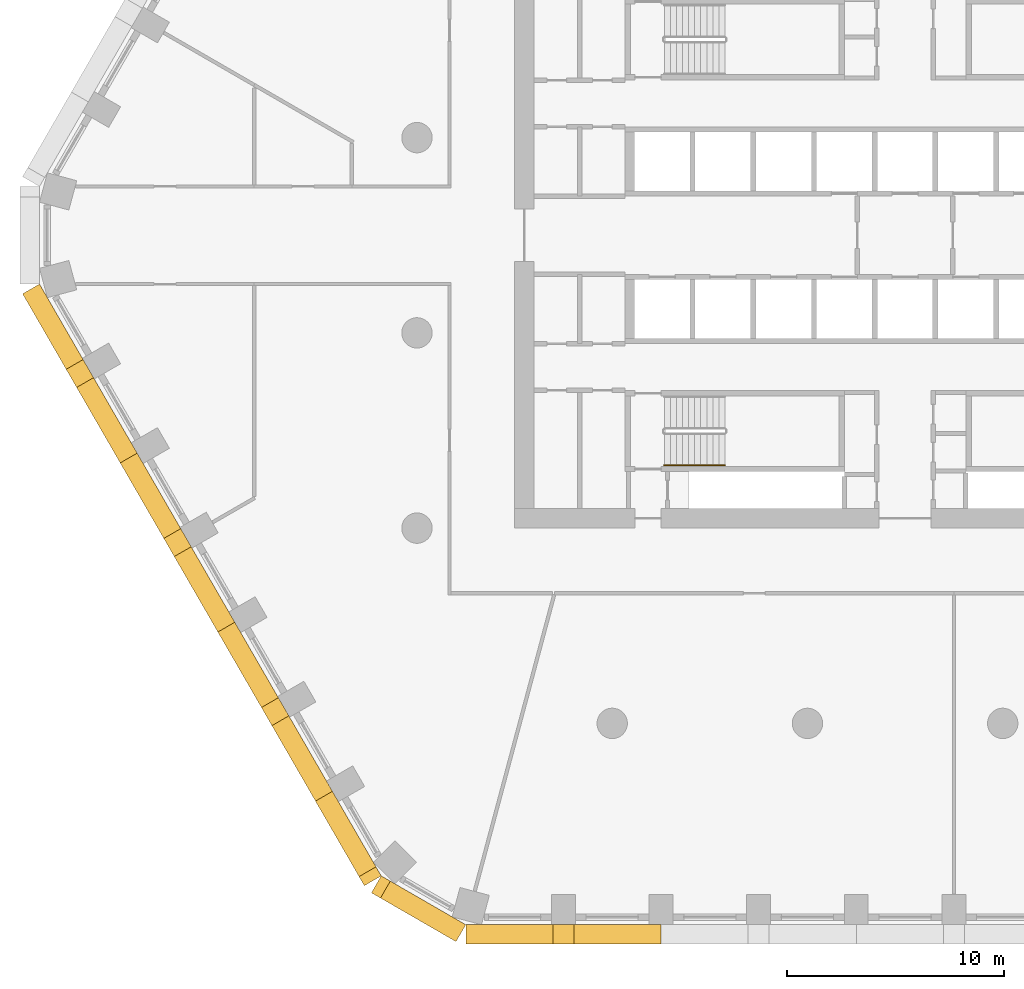
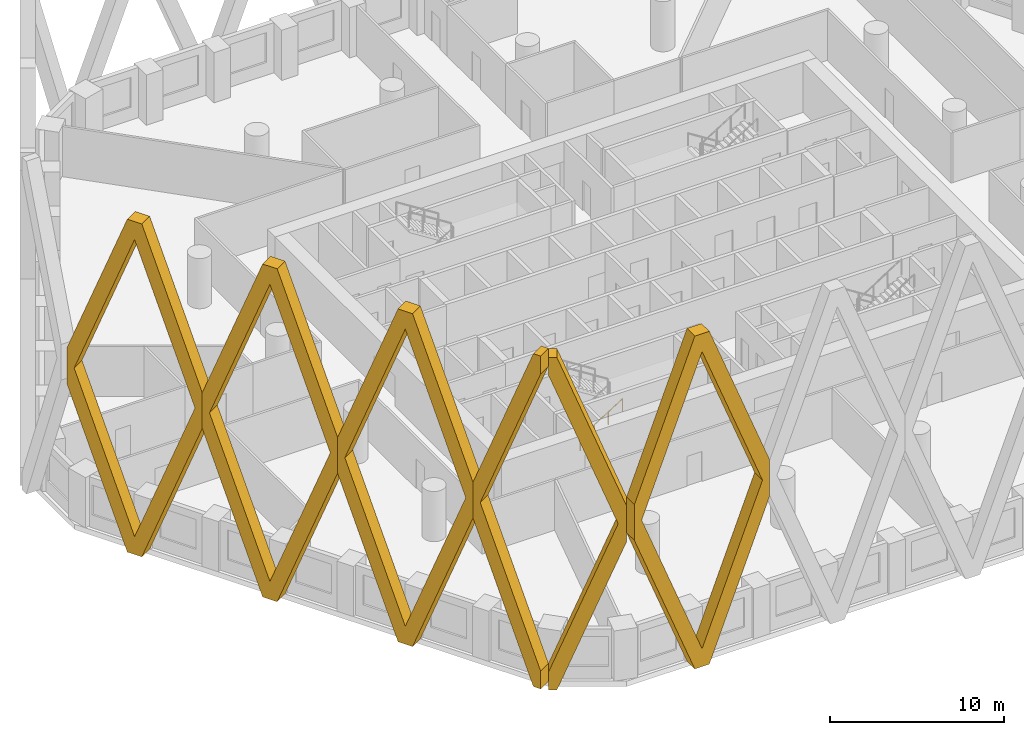
# One storey, part 10 of 18: 6 coverings, 1 railing.
"""IFC4 building model written with IfcOpenShell, lengths in metres."""

import ifcopenshell
import ifcopenshell.guid

model = None  # the IFC model being written
_history = None  # IfcOwnerHistory: only IFC2X3 demands one
_inside = {}  # id of a spatial element -> (the spatial element, [elements in it])
_under = {}  # id of a project, library or spatial element -> (it, [spatial elements below it])
_declared = {}  # id of a project -> (the project, [libraries it declares])
_typed = {}  # id of a type object -> (the type object, [elements of that type])
_made_of = {}  # id of a material, layer set ... -> (it, [elements and type objects made of it])


def new_model(schema):
    """Start an empty IFC model of exactly this schema.

    Asked for "IFC4X3", IfcOpenShell would pick the latest addendum, in which some entities
    have other attributes; the version numbers below select the first issue.
    IFC2X3 requires an IfcOwnerHistory on every rooted entity: one is made here for all.
    """
    global model, _history
    if schema == "IFC4X3":
        model = ifcopenshell.file(schema_version=(4, 3, 0, 0))
    else:
        model = ifcopenshell.file(schema=schema)
    _inside.clear()
    _under.clear()
    _declared.clear()
    _typed.clear()
    _made_of.clear()
    _history = None
    if model.schema == "IFC2X3":
        org = make("IfcOrganization", Name="unknown")
        user = make(
            "IfcPersonAndOrganization",
            ThePerson=make("IfcPerson", FamilyName="unknown"),
            TheOrganization=org,
        )
        app = make(
            "IfcApplication",
            ApplicationDeveloper=org,
            Version="unknown",
            ApplicationFullName="unknown",
            ApplicationIdentifier="unknown",
        )
        _history = make(
            "IfcOwnerHistory",
            OwningUser=user,
            OwningApplication=app,
            ChangeAction="ADDED",
            CreationDate=0,
        )
    return model


def make(cls, **values):
    """One entity of the class cls with the attributes given. An attribute that is None is left unset."""
    return model.create_entity(
        cls, **{name: value for name, value in values.items() if value is not None}
    )


def rooted(cls, **values):
    """An entity with a GlobalId (a new one), such as an element, a storey or a relation."""
    return make(cls, GlobalId=ifcopenshell.guid.new(), OwnerHistory=_history, **values)


def si_unit(unit_type, name, prefix=None):
    """IfcSIUnit, for example si_unit("LENGTHUNIT", "METRE", prefix="MILLI")."""
    return make("IfcSIUnit", UnitType=unit_type, Prefix=prefix, Name=name)


def assignment(units):
    """IfcUnitAssignment: the units of a project."""
    return None if units is None else make("IfcUnitAssignment", Units=units)


def point(xyz):
    """IfcCartesianPoint."""
    return None if xyz is None else make("IfcCartesianPoint", Coordinates=xyz)


def direction(xyz):
    """IfcDirection."""
    return None if xyz is None else make("IfcDirection", DirectionRatios=xyz)


def frame(location, z_axis=None, x_axis=None):
    """IfcAxis2Placement3D, a coordinate frame: its origin and axes. An axis left out is left unset."""
    return make(
        "IfcAxis2Placement3D",
        Location=point(location),
        Axis=direction(z_axis),
        RefDirection=direction(x_axis),
    )


def frame_2d(location, x_axis=None):
    """IfcAxis2Placement2D, a coordinate frame in the plane: its origin and x axis."""
    return make(
        "IfcAxis2Placement2D", Location=point(location), RefDirection=direction(x_axis)
    )


def origin():
    """The frame at (0, 0, 0) with its axes left unset."""
    return frame((0.0, 0.0, 0.0))


def origin_2d():
    """The frame at (0, 0) in the plane with its x axis left unset."""
    return frame_2d((0.0, 0.0))


def place(relative_to, where):
    """IfcLocalPlacement: puts the frame where relative to a parent placement (None: the world)."""
    return make(
        "IfcLocalPlacement", PlacementRelTo=relative_to, RelativePlacement=where
    )


def context(
    kind, dimensions, precision=None, world=None, true_north=None, identifier=None
):
    """IfcGeometricRepresentationContext, for example the 3D "Model" context."""
    return make(
        "IfcGeometricRepresentationContext",
        ContextIdentifier=identifier,
        ContextType=kind,
        CoordinateSpaceDimension=dimensions,
        Precision=precision,
        WorldCoordinateSystem=world,
        TrueNorth=true_north,
    )


def subcontext(parent, identifier, kind, view, scale=None):
    """IfcGeometricRepresentationSubContext, for example "Body" below "Model"."""
    return make(
        "IfcGeometricRepresentationSubContext",
        ContextIdentifier=identifier,
        ContextType=kind,
        ParentContext=parent,
        TargetScale=scale,
        TargetView=view,
    )


def project(units=None, contexts=None):
    """IfcProject with its units and contexts."""
    return rooted(
        "IfcProject",
        Name="project",
        RepresentationContexts=contexts,
        UnitsInContext=assignment(units),
    )


def spatial(cls, under=None, at=None, **own):
    """A site, building, storey or space (cls), placed at a placement, below another one or the project."""
    s = rooted(cls, ObjectPlacement=at, **own)
    if under is not None:
        _under.setdefault(under.id(), (under, []))[1].append(s)
    return s


def polyline(points):
    """IfcPolyline through the points."""
    return make("IfcPolyline", Points=[point(p) for p in points])


def profile(cls, at=None, kind="AREA", **sizes):
    """A parametric profile (cls). Its sizes go by their IFC names, for example OverallWidth=200.0."""
    return make(cls, ProfileType=kind, Position=at, **sizes)


def circle(**sizes):
    """IfcCircleProfileDef."""
    return profile("IfcCircleProfileDef", **sizes)


def outline(outer, holes=None, kind="AREA"):
    """IfcArbitraryClosedProfileDef: a profile drawn as a closed curve; with holes, ...WithVoids."""
    if holes is None:
        return make("IfcArbitraryClosedProfileDef", ProfileType=kind, OuterCurve=outer)
    return make(
        "IfcArbitraryProfileDefWithVoids",
        ProfileType=kind,
        OuterCurve=outer,
        InnerCurves=holes,
    )


def extrude(swept, where, along, depth):
    """IfcExtrudedAreaSolid: the profile swept, set in the frame where, extruded along a direction by depth."""
    return make(
        "IfcExtrudedAreaSolid",
        SweptArea=swept,
        Position=where,
        ExtrudedDirection=direction(along),
        Depth=depth,
    )


def shape(context_of_items, identifier, shape_type, items):
    """IfcShapeRepresentation: the items that make up one representation, for example the "Body"."""
    return make(
        "IfcShapeRepresentation",
        ContextOfItems=context_of_items,
        RepresentationIdentifier=identifier,
        RepresentationType=shape_type,
        Items=items,
    )


def material(Name=None, Category=None):
    """IfcMaterial."""
    return make("IfcMaterial", Name=Name, Category=Category)


def made_of(thing, what):
    """Note that an element or type object is made of a material, layer set ...; save() writes the relation."""
    if what is not None:
        _made_of.setdefault(what.id(), (what, []))[1].append(thing)
    return thing


def type_object(cls, material=None, **own):
    """A type object (cls), such as IfcWallType, which elements share."""
    return made_of(rooted(cls, **own), material)


def element(
    cls,
    number,
    at=None,
    inside=None,
    cuts=None,
    type_object=None,
    material=None,
    context=None,
    identifier="Body",
    shape_type=None,
    held_by="IfcProductDefinitionShape",
    body=None,
    shapes=None,
    **own,
):
    """One element of the class cls, such as IfcWall. Its Tag is "e" and its number.

    at: its placement. inside: the storey or other place that contains it. cuts: it is an
    opening in that element (IfcRelVoidsElement). A single representation is given by context,
    identifier, shape_type and body (its items); several are given by shapes. held_by: the class
    of the entity that holds the representations. save() writes the other relations.
    """
    e = rooted(cls, Tag="e%d" % number, ObjectPlacement=at, **own)
    if body is not None:
        shapes = [shape(context, identifier, shape_type, body)]
    if shapes is not None:
        e.Representation = make(held_by, Representations=shapes)
    if inside is not None:
        _inside.setdefault(inside.id(), (inside, []))[1].append(e)
    if cuts is not None:
        rooted(
            "IfcRelVoidsElement", RelatingBuildingElement=cuts, RelatedOpeningElement=e
        )
    if type_object is not None:
        _typed.setdefault(type_object.id(), (type_object, []))[1].append(e)
    return made_of(e, material)


def aggregate(whole, parts):
    """IfcRelAggregates: a whole, such as a stair, and the parts it consists of."""
    return rooted("IfcRelAggregates", RelatingObject=whole, RelatedObjects=parts)


def save(model, path):
    """Write the relations noted so far, then the file.

    IfcRelAggregates (storeys below a building ...), IfcRelContainedInSpatialStructure (elements
    in a storey), IfcRelDefinesByType, IfcRelAssociatesMaterial and IfcRelDeclares: one each for
    every whole, place, type object, material and project.
    """
    for whole, parts in _under.values():
        aggregate(whole, parts)
    for where, things in _inside.values():
        rooted(
            "IfcRelContainedInSpatialStructure",
            RelatedElements=things,
            RelatingStructure=where,
        )
    for kind, things in _typed.values():
        rooted("IfcRelDefinesByType", RelatedObjects=things, RelatingType=kind)
    for what, things in _made_of.values():
        rooted("IfcRelAssociatesMaterial", RelatedObjects=things, RelatingMaterial=what)
    for by, libraries in _declared.values():
        rooted("IfcRelDeclares", RelatingContext=by, RelatedDefinitions=libraries)
    model.write(path)


model = new_model("IFC4")

# Units and contexts
model_context = context("Model", 3, precision=1e-05, world=origin(), true_north=direction((0.0, 1.0)))
body_context = subcontext(model_context, "Body", "Model", "MODEL_VIEW")
ifc_project = project(units=[si_unit("LENGTHUNIT", "METRE"), si_unit("AREAUNIT", "SQUARE_METRE"), si_unit("VOLUMEUNIT", "CUBIC_METRE"), si_unit("PLANEANGLEUNIT", "RADIAN"), si_unit("MASSUNIT", "GRAM", prefix="KILO")], contexts=[model_context])

# Site, building, storey
site_placement = place(None, origin())
site = spatial("IfcSite", under=ifc_project, at=site_placement, CompositionType="ELEMENT")
building_placement = place(site_placement, origin())
building = spatial("IfcBuilding", under=site, at=building_placement, Name="Dhurran Vertical Campus", CompositionType="ELEMENT")
storey_placement = place(building_placement, frame((0.0, 0.0, 53.39990234375)))
storey = spatial("IfcBuildingStorey", under=building, at=storey_placement, Name="L12", CompositionType="ELEMENT", Elevation=53.39990234375)

# Coverings
ifc_material_1 = material(Name="Precast concrete C50/60", Category="concrete")
covering_type = type_object("IfcCoveringType", Name="Folded precast fin lattice diamond", PredefinedType="USERDEFINED", material=ifc_material_1)
for number, where, z_axis, x_axis, name in (
    (1, (-20.25, -31.77978515625, 0.0), (0.0, -1.0, 0.0), (1.0, 0.0, 0.0), "FN1 L12.001"),
    (2, (-39.897216796875, -2.25, 0.0), (-0.866013897511, -0.50001992892, 0.0), (0.50001992892, -0.866013897511, 0.0), "FN1 L12.028"),
    (3, (-35.397216796875, -10.044189453125, 0.0), (-0.866013897511, -0.50001992892, 0.0), (0.50001992892, -0.866013897511, 0.0), "FN1 L12.029"),
    (4, (-30.897216796875, -17.83837890625, 0.0), (-0.865896406789, -0.500223362819, 0.0), (0.500223362819, -0.865896406789, 0.0), "FN1 L12.030"),
):
    element("IfcCovering", number, at=place(storey_placement, frame(where, z_axis=z_axis, x_axis=x_axis)), inside=storey, type_object=covering_type, Name=name, ObjectType="FIN", PredefinedType="USERDEFINED", context=body_context, shape_type="SweptSolid", body=[
        extrude(outline(polyline([(9.0, 12.95361328125), (9.0, 10.4462890625), (4.982177734375, 0.0), (4.017822265625, 0.0), (0.0, 10.4462890625), (0.0, 12.95361328125), (4.017822265625, 23.39990234375), (4.982177734375, 23.39990234375), (9.0, 12.95361328125)]), holes=[polyline([(8.517822265625, 11.699951171875), (4.5, 22.146484375), (0.482177734375, 11.699951171875), (4.5, 1.253662109375), (8.517822265625, 11.699951171875)])]), origin(), (0.0, 0.0, 1.0), 0.89990234375),
    ])
covering_1_placement = place(storey_placement, frame((-26.397216796875, -25.6328125, 0.0), z_axis=(-0.866013897511, -0.50001992892, 0.0), x_axis=(0.50001992892, -0.866013897511, 0.0)))
element("IfcCovering", 5, at=covering_1_placement, inside=storey, type_object=covering_type, Name="FN1 L12.031", ObjectType="FIN", PredefinedType="USERDEFINED", context=body_context, shape_type="SweptSolid", body=[
    extrude(outline(polyline([(4.017822265625, 0.0), (0.0, 10.4462890625), (0.0, 12.95361328125), (4.017822265625, 23.39990234375), (4.5, 23.39990234375), (4.5, 22.146484375), (0.482177734375, 11.699951171875), (4.5, 1.253662109375), (4.5, 0.0), (4.017822265625, 0.0)])), origin(), (0.0, 0.0, 1.0), 0.89990234375),
])
covering_2_placement = place(storey_placement, frame((-24.147216796875, -29.52978515625, 0.0), z_axis=(-0.50001992892, -0.866013897511, 0.0), x_axis=(0.866013897511, -0.50001992892, 0.0)))
element("IfcCovering", 6, at=covering_2_placement, inside=storey, type_object=covering_type, Name="FN1 L12.032", ObjectType="FIN", PredefinedType="USERDEFINED", context=body_context, shape_type="SweptSolid", body=[
    extrude(outline(polyline([(4.5, 10.4462890625), (0.482177734375, 0.0), (0.0, 0.0), (0.0, 1.253662109375), (4.017822265625, 11.699951171875), (0.0, 22.146484375), (0.0, 23.39990234375), (0.482177734375, 23.39990234375), (4.5, 12.95361328125), (4.5, 10.4462890625)])), origin(), (0.0, 0.0, 1.0), 0.89990234375),
])

# Railing
ifc_material_2 = material(Name="Stainless steel handrail", Category="steel")
railing_type = type_object("IfcRailingType", Name="co-RL-HANDRAIL-900", PredefinedType="HANDRAIL", material=ifc_material_2)
railing_placement = place(storey_placement, frame((-11.10009765625, -10.60009765625, 0.177490234375)))
element("IfcRailing", 7, at=railing_placement, inside=storey, type_object=railing_type, Name="L12 ST3 stair handrail 1", PredefinedType="HANDRAIL", context=body_context, shape_type="SweptSolid", body=[
    extrude(circle(Radius=0.02392578125, at=origin_2d()), frame((0.0, 0.0, 0.8759765625), z_axis=(0.844908973607, 0.0, 0.534910110503), x_axis=(0.0, 1.0, 0.0)), (0.0, 0.0, 1.0), 3.31396484375),
    extrude(circle(Radius=0.02099609375, at=origin_2d()), origin(), (0.0, 0.0, 1.0), 0.851806640625),
    extrude(circle(Radius=0.02099609375, at=origin_2d()), frame((0.933349609375, 0.0, 0.5908203125)), (0.0, 0.0, 1.0), 0.851806640625),
    extrude(circle(Radius=0.02099609375, at=origin_2d()), frame((1.86669921875, 0.0, 1.181884765625)), (0.0, 0.0, 1.0), 0.851806640625),
    extrude(circle(Radius=0.02099609375, at=origin_2d()), frame((2.800048828125, 0.0, 1.772705078125)), (0.0, 0.0, 1.0), 0.851806640625),
])

save(model, "model.ifc")
